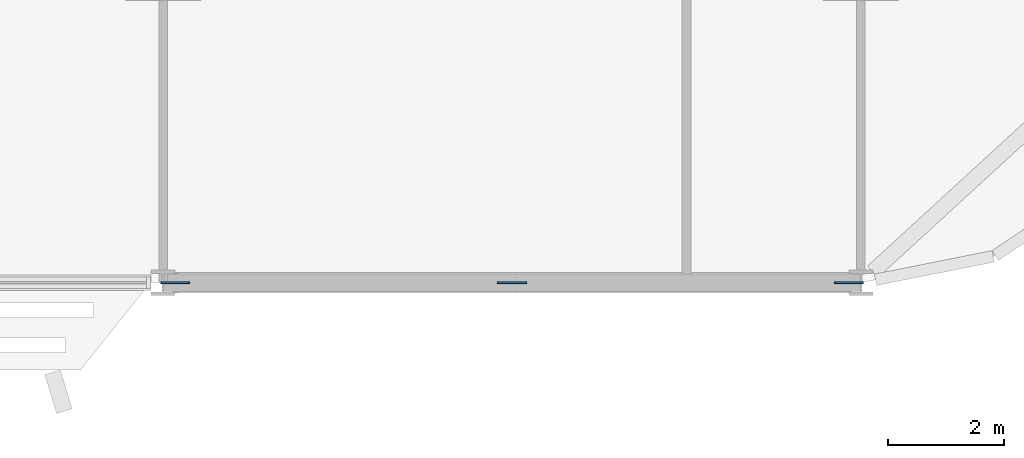
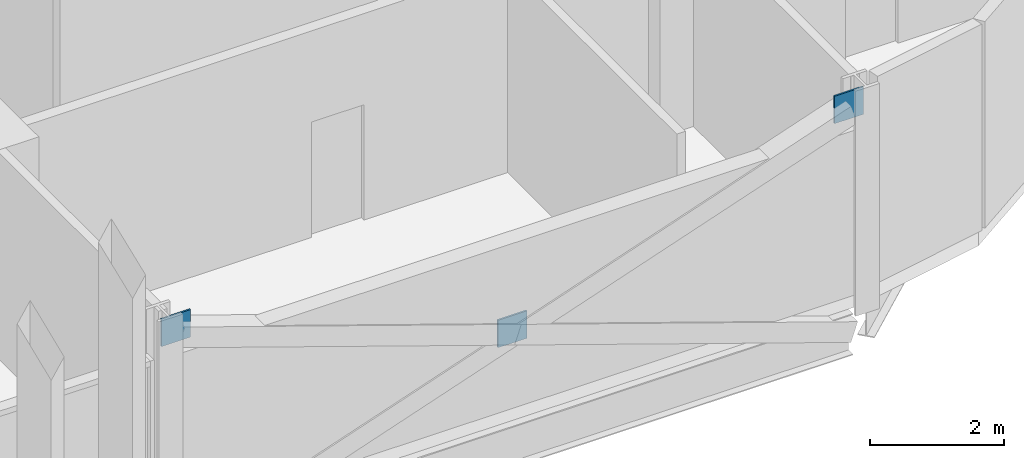
# One storey, part 23 of 32: 3 discrete accessories.
"""IFC4 building model written with IfcOpenShell, lengths in metres."""

import ifcopenshell
import ifcopenshell.guid

model = None  # the IFC model being written
_history = None  # IfcOwnerHistory: only IFC2X3 demands one
_inside = {}  # id of a spatial element -> (the spatial element, [elements in it])
_under = {}  # id of a project, library or spatial element -> (it, [spatial elements below it])
_declared = {}  # id of a project -> (the project, [libraries it declares])
_typed = {}  # id of a type object -> (the type object, [elements of that type])
_made_of = {}  # id of a material, layer set ... -> (it, [elements and type objects made of it])


def new_model(schema):
    """Start an empty IFC model of exactly this schema.

    Asked for "IFC4X3", IfcOpenShell would pick the latest addendum, in which some entities
    have other attributes; the version numbers below select the first issue.
    IFC2X3 requires an IfcOwnerHistory on every rooted entity: one is made here for all.
    """
    global model, _history
    if schema == "IFC4X3":
        model = ifcopenshell.file(schema_version=(4, 3, 0, 0))
    else:
        model = ifcopenshell.file(schema=schema)
    _inside.clear()
    _under.clear()
    _declared.clear()
    _typed.clear()
    _made_of.clear()
    _history = None
    if model.schema == "IFC2X3":
        org = make("IfcOrganization", Name="unknown")
        user = make(
            "IfcPersonAndOrganization",
            ThePerson=make("IfcPerson", FamilyName="unknown"),
            TheOrganization=org,
        )
        app = make(
            "IfcApplication",
            ApplicationDeveloper=org,
            Version="unknown",
            ApplicationFullName="unknown",
            ApplicationIdentifier="unknown",
        )
        _history = make(
            "IfcOwnerHistory",
            OwningUser=user,
            OwningApplication=app,
            ChangeAction="ADDED",
            CreationDate=0,
        )
    return model


def make(cls, **values):
    """One entity of the class cls with the attributes given. An attribute that is None is left unset."""
    return model.create_entity(
        cls, **{name: value for name, value in values.items() if value is not None}
    )


def rooted(cls, **values):
    """An entity with a GlobalId (a new one), such as an element, a storey or a relation."""
    return make(cls, GlobalId=ifcopenshell.guid.new(), OwnerHistory=_history, **values)


def si_unit(unit_type, name, prefix=None):
    """IfcSIUnit, for example si_unit("LENGTHUNIT", "METRE", prefix="MILLI")."""
    return make("IfcSIUnit", UnitType=unit_type, Prefix=prefix, Name=name)


def assignment(units):
    """IfcUnitAssignment: the units of a project."""
    return None if units is None else make("IfcUnitAssignment", Units=units)


def point(xyz):
    """IfcCartesianPoint."""
    return None if xyz is None else make("IfcCartesianPoint", Coordinates=xyz)


def direction(xyz):
    """IfcDirection."""
    return None if xyz is None else make("IfcDirection", DirectionRatios=xyz)


def frame(location, z_axis=None, x_axis=None):
    """IfcAxis2Placement3D, a coordinate frame: its origin and axes. An axis left out is left unset."""
    return make(
        "IfcAxis2Placement3D",
        Location=point(location),
        Axis=direction(z_axis),
        RefDirection=direction(x_axis),
    )


def frame_2d(location, x_axis=None):
    """IfcAxis2Placement2D, a coordinate frame in the plane: its origin and x axis."""
    return make(
        "IfcAxis2Placement2D", Location=point(location), RefDirection=direction(x_axis)
    )


def origin():
    """The frame at (0, 0, 0) with its axes left unset."""
    return frame((0.0, 0.0, 0.0))


def origin_2d():
    """The frame at (0, 0) in the plane with its x axis left unset."""
    return frame_2d((0.0, 0.0))


def place(relative_to, where):
    """IfcLocalPlacement: puts the frame where relative to a parent placement (None: the world)."""
    return make(
        "IfcLocalPlacement", PlacementRelTo=relative_to, RelativePlacement=where
    )


def context(
    kind, dimensions, precision=None, world=None, true_north=None, identifier=None
):
    """IfcGeometricRepresentationContext, for example the 3D "Model" context."""
    return make(
        "IfcGeometricRepresentationContext",
        ContextIdentifier=identifier,
        ContextType=kind,
        CoordinateSpaceDimension=dimensions,
        Precision=precision,
        WorldCoordinateSystem=world,
        TrueNorth=true_north,
    )


def subcontext(parent, identifier, kind, view, scale=None):
    """IfcGeometricRepresentationSubContext, for example "Body" below "Model"."""
    return make(
        "IfcGeometricRepresentationSubContext",
        ContextIdentifier=identifier,
        ContextType=kind,
        ParentContext=parent,
        TargetScale=scale,
        TargetView=view,
    )


def project(units=None, contexts=None):
    """IfcProject with its units and contexts."""
    return rooted(
        "IfcProject",
        Name="project",
        RepresentationContexts=contexts,
        UnitsInContext=assignment(units),
    )


def spatial(cls, under=None, at=None, **own):
    """A site, building, storey or space (cls), placed at a placement, below another one or the project."""
    s = rooted(cls, ObjectPlacement=at, **own)
    if under is not None:
        _under.setdefault(under.id(), (under, []))[1].append(s)
    return s


def profile(cls, at=None, kind="AREA", **sizes):
    """A parametric profile (cls). Its sizes go by their IFC names, for example OverallWidth=200.0."""
    return make(cls, ProfileType=kind, Position=at, **sizes)


def rectangle(**sizes):
    """IfcRectangleProfileDef."""
    return profile("IfcRectangleProfileDef", **sizes)


def extrude(swept, where, along, depth):
    """IfcExtrudedAreaSolid: the profile swept, set in the frame where, extruded along a direction by depth."""
    return make(
        "IfcExtrudedAreaSolid",
        SweptArea=swept,
        Position=where,
        ExtrudedDirection=direction(along),
        Depth=depth,
    )


def shape(context_of_items, identifier, shape_type, items):
    """IfcShapeRepresentation: the items that make up one representation, for example the "Body"."""
    return make(
        "IfcShapeRepresentation",
        ContextOfItems=context_of_items,
        RepresentationIdentifier=identifier,
        RepresentationType=shape_type,
        Items=items,
    )


def material(Name=None, Category=None):
    """IfcMaterial."""
    return make("IfcMaterial", Name=Name, Category=Category)


def layer(
    of_material, thickness, ventilated=None, Name=None, Category=None, Priority=None
):
    """IfcMaterialLayer: one layer of a wall or slab, of a material (None: an air gap)."""
    return make(
        "IfcMaterialLayer",
        Material=of_material,
        LayerThickness=thickness,
        IsVentilated=ventilated,
        Name=Name,
        Category=Category,
        Priority=Priority,
    )


def layer_set(layers, Name=None):
    """IfcMaterialLayerSet."""
    return make("IfcMaterialLayerSet", MaterialLayers=layers, LayerSetName=Name)


def made_of(thing, what):
    """Note that an element or type object is made of a material, layer set ...; save() writes the relation."""
    if what is not None:
        _made_of.setdefault(what.id(), (what, []))[1].append(thing)
    return thing


def type_object(cls, material=None, **own):
    """A type object (cls), such as IfcWallType, which elements share."""
    return made_of(rooted(cls, **own), material)


def element(
    cls,
    number,
    at=None,
    inside=None,
    cuts=None,
    type_object=None,
    material=None,
    context=None,
    identifier="Body",
    shape_type=None,
    held_by="IfcProductDefinitionShape",
    body=None,
    shapes=None,
    **own,
):
    """One element of the class cls, such as IfcWall. Its Tag is "e" and its number.

    at: its placement. inside: the storey or other place that contains it. cuts: it is an
    opening in that element (IfcRelVoidsElement). A single representation is given by context,
    identifier, shape_type and body (its items); several are given by shapes. held_by: the class
    of the entity that holds the representations. save() writes the other relations.
    """
    e = rooted(cls, Tag="e%d" % number, ObjectPlacement=at, **own)
    if body is not None:
        shapes = [shape(context, identifier, shape_type, body)]
    if shapes is not None:
        e.Representation = make(held_by, Representations=shapes)
    if inside is not None:
        _inside.setdefault(inside.id(), (inside, []))[1].append(e)
    if cuts is not None:
        rooted(
            "IfcRelVoidsElement", RelatingBuildingElement=cuts, RelatedOpeningElement=e
        )
    if type_object is not None:
        _typed.setdefault(type_object.id(), (type_object, []))[1].append(e)
    return made_of(e, material)


def aggregate(whole, parts):
    """IfcRelAggregates: a whole, such as a stair, and the parts it consists of."""
    return rooted("IfcRelAggregates", RelatingObject=whole, RelatedObjects=parts)


def save(model, path):
    """Write the relations noted so far, then the file.

    IfcRelAggregates (storeys below a building ...), IfcRelContainedInSpatialStructure (elements
    in a storey), IfcRelDefinesByType, IfcRelAssociatesMaterial and IfcRelDeclares: one each for
    every whole, place, type object, material and project.
    """
    for whole, parts in _under.values():
        aggregate(whole, parts)
    for where, things in _inside.values():
        rooted(
            "IfcRelContainedInSpatialStructure",
            RelatedElements=things,
            RelatingStructure=where,
        )
    for kind, things in _typed.values():
        rooted("IfcRelDefinesByType", RelatedObjects=things, RelatingType=kind)
    for what, things in _made_of.values():
        rooted("IfcRelAssociatesMaterial", RelatedObjects=things, RelatingMaterial=what)
    for by, libraries in _declared.values():
        rooted("IfcRelDeclares", RelatingContext=by, RelatedDefinitions=libraries)
    model.write(path)


model = new_model("IFC4")

# Units and contexts
model_context = context("Model", 3, precision=1e-05, world=origin(), true_north=direction((0.0, 1.0)))
body_context = subcontext(model_context, "Body", "Model", "MODEL_VIEW")
ifc_project = project(units=[si_unit("LENGTHUNIT", "METRE"), si_unit("AREAUNIT", "SQUARE_METRE"), si_unit("VOLUMEUNIT", "CUBIC_METRE"), si_unit("PLANEANGLEUNIT", "RADIAN"), si_unit("MASSUNIT", "GRAM", prefix="KILO")], contexts=[model_context])

# Site, building, storey
site_placement = place(None, origin())
site = spatial("IfcSite", under=ifc_project, at=site_placement, CompositionType="ELEMENT")
building_placement = place(site_placement, origin())
building = spatial("IfcBuilding", under=site, at=building_placement, Name="Mahtab Terrace Research Tower", CompositionType="ELEMENT")
storey_placement = place(building_placement, frame((0.0, 0.0, 138.39990234375)))
storey = spatial("IfcBuildingStorey", under=building, at=storey_placement, Name="L32", CompositionType="ELEMENT", Elevation=138.39990234375)

# Discrete accessories
ifc_material = material(Name="Steel ASTM A992 Gr 50", Category="steel")
ifc_layer = layer(ifc_material, 0.030029296875)
ifc_layer_set = layer_set([ifc_layer], Name="Gusset plate 500x500x30")
discrete_accessory_type = type_object("IfcDiscreteAccessoryType", Name="Gusset plate 500x500x30", PredefinedType="USERDEFINED", material=ifc_layer_set)
for number, where, z_axis, x_axis, name in (
    (1, (30.205810546875, -17.0, 3.131591796875), (0.0, 0.0, 1.0), (1.0, 0.0, 0.0), "Gusset plate"),
    (2, (36.0, -17.0, 1.081787109375), (0.0, 0.0, 1.0), (1.0, 0.0, 0.0), "Gusset plate"),
    (3, (41.794189453125, -17.0, 3.131591796875), (0.0, 0.0, 1.0), (1.0, 0.0, 0.0), "Gusset plate"),
):
    element("IfcDiscreteAccessory", number, at=place(storey_placement, frame(where, z_axis=z_axis, x_axis=x_axis)), inside=storey, type_object=discrete_accessory_type, Name=name, ObjectType="GUSSET PLATE", PredefinedType="USERDEFINED", context=body_context, shape_type="SweptSolid", body=[
        extrude(rectangle(XDim=0.5, YDim=0.030029296875, at=origin_2d()), origin(), (0.0, 0.0, 1.0), 0.5),
    ])

save(model, "model.ifc")
